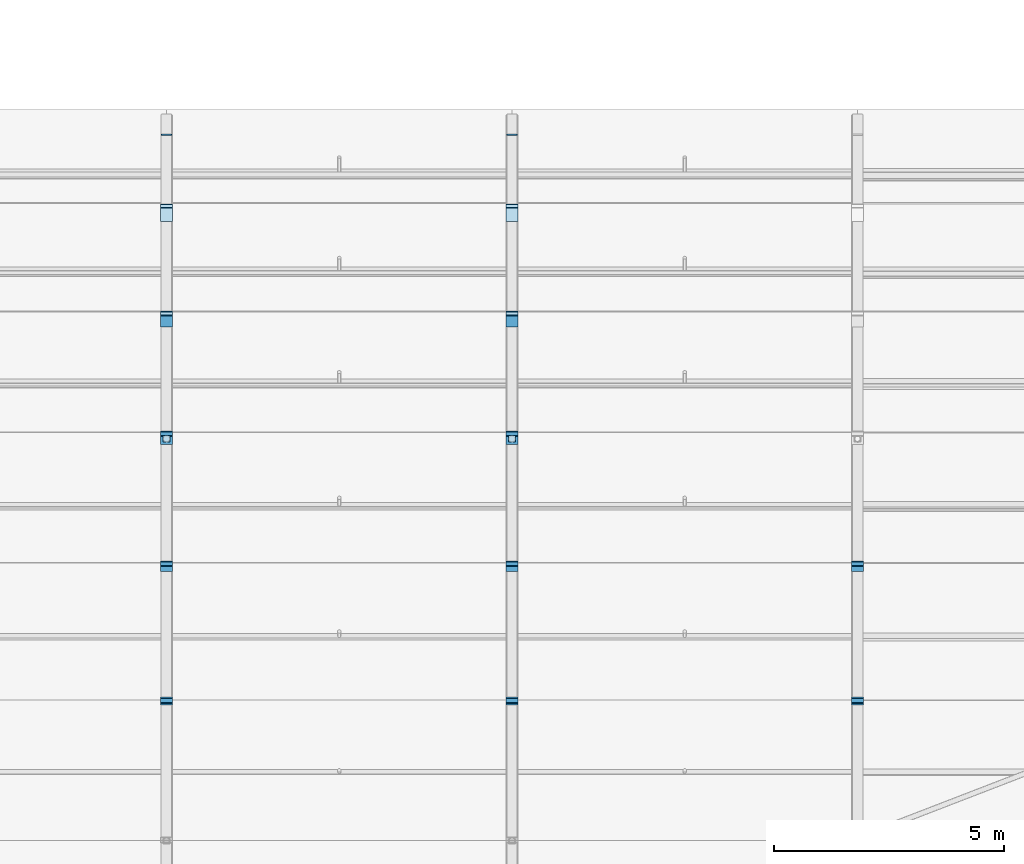
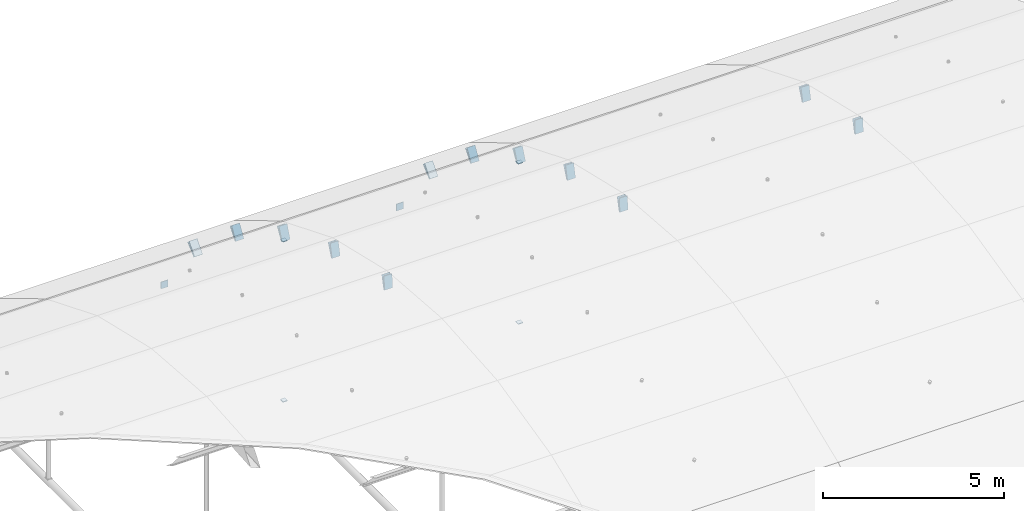
# One storey, part 54 of 77: 30 plates.
"""IFC4 building model written with IfcOpenShell, lengths in metres."""

from ifc_helpers import new_model, si_unit, direction, frame, origin, origin_2d, place, context, subcontext, project, spatial, rectangle, extrude, material, layer, layer_set, type_object, element, save


model = new_model("IFC4")

# Units and contexts
model_context = context("Model", 3, precision=1e-05, world=origin(), true_north=direction((0.0, 1.0)))
body_context = subcontext(model_context, "Body", "Model", "MODEL_VIEW")
ifc_project = project(units=[si_unit("LENGTHUNIT", "METRE"), si_unit("AREAUNIT", "SQUARE_METRE"), si_unit("VOLUMEUNIT", "CUBIC_METRE"), si_unit("PLANEANGLEUNIT", "RADIAN"), si_unit("MASSUNIT", "GRAM", prefix="KILO")], contexts=[model_context])

# Site, building, storey
site_placement = place(None, origin())
site = spatial("IfcSite", under=ifc_project, at=site_placement, CompositionType="ELEMENT")
building_placement = place(site_placement, origin())
building = spatial("IfcBuilding", under=site, at=building_placement, Name="Yukiwa Park Conservatory and Herbarium", CompositionType="ELEMENT")
storey_placement = place(building_placement, frame((0.0, 0.0, 13.199951171875)))
storey = spatial("IfcBuildingStorey", under=building, at=storey_placement, Name="L03", CompositionType="ELEMENT", Elevation=13.199951171875)

# Plates
ifc_material_1 = material(Name="Steel Q355D", Category="steel")
ifc_layer_1 = layer(ifc_material_1, 0.02392578125)
ifc_layer_set_1 = layer_set([ifc_layer_1], Name="Steel Q355D")
plate_type_1 = type_object("IfcPlateType", Name="PL-CAP-24", PredefinedType="USERDEFINED", material=ifc_layer_set_1)
plate_1_placement = place(storey_placement, frame((37.5, 18.561767578125, 3.37060546875), z_axis=(0.0, 0.997458699831, -0.071247049988), x_axis=(-1.0, 0.0, 0.0)))
element("IfcPlate", 1, at=plate_1_placement, inside=storey, type_object=plate_type_1, Name="Hollow section end cap plate CAP-RIB06-C07B", ObjectType="END CAP PLATE", PredefinedType="USERDEFINED", context=body_context, shape_type="SweptSolid", body=[
    extrude(rectangle(XDim=0.258056640625, YDim=0.4580078125, at=origin_2d()), origin(), (0.0, 0.0, 1.0), 0.02392578125),
])
plate_2_placement = place(storey_placement, frame((37.5, 18.658203125, 3.354248046875), z_axis=(0.0, -0.972479178012, 0.232989803065), x_axis=(1.0, 0.0, 0.0)))
element("IfcPlate", 2, at=plate_2_placement, inside=storey, type_object=plate_type_1, Name="Hollow section end cap plate CAP-RIB06-C08A", ObjectType="END CAP PLATE", PredefinedType="USERDEFINED", context=body_context, shape_type="SweptSolid", body=[
    extrude(rectangle(XDim=0.258056640625, YDim=0.4580078125, at=origin_2d()), origin(), (0.0, 0.0, 1.0), 0.024169921875),
])
for number, where, z_axis, x_axis, name in (
    (3, (37.5, 21.492919921875, 2.68505859375), (0.0, 0.974732318528, -0.223376156329), (-1.0, 0.0, 0.0), "Hollow section end cap plate CAP-RIB06-C08B"),
    (4, (37.5, 21.585693359375, 2.654052734375), (0.0, -0.926355609378, 0.376650082934), (1.0, 0.0, 0.0), "Hollow section end cap plate CAP-RIB06-C09A"),
    (5, (37.5, 24.28369140625, 1.556396484375), (0.0, 0.926355609378, -0.376650082934), (-1.0, 0.0, 0.0), "Hollow section end cap plate CAP-RIB06-C09B"),
    (6, (37.5, 24.370361328125, 1.511474609375), (0.0, -0.854787515222, 0.518978134242), (1.0, 0.0, 0.0), "Hollow section end cap plate CAP-RIB06-C10A"),
):
    element("IfcPlate", number, at=place(storey_placement, frame(where, z_axis=z_axis, x_axis=x_axis)), inside=storey, type_object=plate_type_1, Name=name, ObjectType="END CAP PLATE", PredefinedType="USERDEFINED", context=body_context, shape_type="SweptSolid", body=[
        extrude(rectangle(XDim=0.258056640625, YDim=0.4580078125, at=origin_2d()), origin(), (0.0, 0.0, 1.0), 0.02392578125),
    ])
plate_3_placement = place(storey_placement, frame((37.5, 26.8671875, 0.01171875), z_axis=(0.0, 0.857492925713, -0.514495755428), x_axis=(-1.0, 0.0, 0.0)))
element("IfcPlate", 7, at=plate_3_placement, inside=storey, type_object=plate_type_1, Name="Hollow section end cap plate CAP-RIB06-C10B", ObjectType="END CAP PLATE", PredefinedType="USERDEFINED", context=body_context, shape_type="SweptSolid", body=[
    extrude(rectangle(XDim=0.258056640625, YDim=0.4580078125, at=origin_2d()), origin(), (0.0, 0.0, 1.0), 0.024169921875),
])
for number, where, z_axis, x_axis, name in (
    (8, (37.5, 26.946044921875, -0.046142578125), (0.0, -0.76570486479, 0.643192086423), (1.0, 0.0, 0.0), "Hollow section end cap plate CAP-RIB06-C11A"),
    (9, (37.5, 29.182373046875, -1.912353515625), (0.0, 0.76570486479, -0.643192086423), (-1.0, 0.0, 0.0), "Hollow section end cap plate CAP-RIB06-C11B"),
    (10, (37.5, 29.251220703125, -1.981689453125), (0.0, -0.659940990637, 0.751317435494), (1.0, 0.0, 0.0), "Hollow section end cap plate CAP-RIB06-C12A"),
    (11, (45.0, 18.561767578125, 3.37060546875), (0.0, 0.997458699831, -0.071247049988), (-1.0, 0.0, 0.0), "Hollow section end cap plate CAP-RIB07-C07B"),
):
    element("IfcPlate", number, at=place(storey_placement, frame(where, z_axis=z_axis, x_axis=x_axis)), inside=storey, type_object=plate_type_1, Name=name, ObjectType="END CAP PLATE", PredefinedType="USERDEFINED", context=body_context, shape_type="SweptSolid", body=[
        extrude(rectangle(XDim=0.258056640625, YDim=0.4580078125, at=origin_2d()), origin(), (0.0, 0.0, 1.0), 0.02392578125),
    ])
plate_4_placement = place(storey_placement, frame((45.0, 18.658203125, 3.354248046875), z_axis=(0.0, -0.972479178012, 0.232989803065), x_axis=(1.0, 0.0, 0.0)))
element("IfcPlate", 12, at=plate_4_placement, inside=storey, type_object=plate_type_1, Name="Hollow section end cap plate CAP-RIB07-C08A", ObjectType="END CAP PLATE", PredefinedType="USERDEFINED", context=body_context, shape_type="SweptSolid", body=[
    extrude(rectangle(XDim=0.258056640625, YDim=0.4580078125, at=origin_2d()), origin(), (0.0, 0.0, 1.0), 0.024169921875),
])
for number, where, z_axis, x_axis, name in (
    (13, (45.0, 21.492919921875, 2.68505859375), (0.0, 0.974732318528, -0.223376156329), (-1.0, 0.0, 0.0), "Hollow section end cap plate CAP-RIB07-C08B"),
    (14, (45.0, 21.585693359375, 2.654052734375), (0.0, -0.926355609378, 0.376650082934), (1.0, 0.0, 0.0), "Hollow section end cap plate CAP-RIB07-C09A"),
    (15, (45.0, 24.28369140625, 1.556396484375), (0.0, 0.926355609378, -0.376650082934), (-1.0, 0.0, 0.0), "Hollow section end cap plate CAP-RIB07-C09B"),
    (16, (45.0, 24.370361328125, 1.511474609375), (0.0, -0.854787515222, 0.518978134242), (1.0, 0.0, 0.0), "Hollow section end cap plate CAP-RIB07-C10A"),
):
    element("IfcPlate", number, at=place(storey_placement, frame(where, z_axis=z_axis, x_axis=x_axis)), inside=storey, type_object=plate_type_1, Name=name, ObjectType="END CAP PLATE", PredefinedType="USERDEFINED", context=body_context, shape_type="SweptSolid", body=[
        extrude(rectangle(XDim=0.258056640625, YDim=0.4580078125, at=origin_2d()), origin(), (0.0, 0.0, 1.0), 0.02392578125),
    ])
plate_5_placement = place(storey_placement, frame((45.0, 26.8671875, 0.01171875), z_axis=(0.0, 0.857492925713, -0.514495755428), x_axis=(-1.0, 0.0, 0.0)))
element("IfcPlate", 17, at=plate_5_placement, inside=storey, type_object=plate_type_1, Name="Hollow section end cap plate CAP-RIB07-C10B", ObjectType="END CAP PLATE", PredefinedType="USERDEFINED", context=body_context, shape_type="SweptSolid", body=[
    extrude(rectangle(XDim=0.258056640625, YDim=0.4580078125, at=origin_2d()), origin(), (0.0, 0.0, 1.0), 0.024169921875),
])
for number, where, z_axis, x_axis, name in (
    (18, (45.0, 26.946044921875, -0.046142578125), (0.0, -0.76570486479, 0.643192086423), (1.0, 0.0, 0.0), "Hollow section end cap plate CAP-RIB07-C11A"),
    (19, (45.0, 29.182373046875, -1.912353515625), (0.0, 0.76570486479, -0.643192086423), (-1.0, 0.0, 0.0), "Hollow section end cap plate CAP-RIB07-C11B"),
    (20, (45.0, 29.251220703125, -1.981689453125), (0.0, -0.659940990637, 0.751317435494), (1.0, 0.0, 0.0), "Hollow section end cap plate CAP-RIB07-C12A"),
    (21, (52.5, 18.561767578125, 3.37060546875), (0.0, 0.997458699831, -0.071247049988), (-1.0, 0.0, 0.0), "Hollow section end cap plate CAP-RIB08-C07B"),
):
    element("IfcPlate", number, at=place(storey_placement, frame(where, z_axis=z_axis, x_axis=x_axis)), inside=storey, type_object=plate_type_1, Name=name, ObjectType="END CAP PLATE", PredefinedType="USERDEFINED", context=body_context, shape_type="SweptSolid", body=[
        extrude(rectangle(XDim=0.258056640625, YDim=0.4580078125, at=origin_2d()), origin(), (0.0, 0.0, 1.0), 0.02392578125),
    ])
plate_6_placement = place(storey_placement, frame((52.5, 18.658203125, 3.354248046875), z_axis=(0.0, -0.972479178012, 0.232989803065), x_axis=(1.0, 0.0, 0.0)))
element("IfcPlate", 22, at=plate_6_placement, inside=storey, type_object=plate_type_1, Name="Hollow section end cap plate CAP-RIB08-C08A", ObjectType="END CAP PLATE", PredefinedType="USERDEFINED", context=body_context, shape_type="SweptSolid", body=[
    extrude(rectangle(XDim=0.258056640625, YDim=0.4580078125, at=origin_2d()), origin(), (0.0, 0.0, 1.0), 0.024169921875),
])
for number, where, z_axis, x_axis, name in (
    (23, (52.5, 21.492919921875, 2.68505859375), (0.0, 0.974732318528, -0.223376156329), (-1.0, 0.0, 0.0), "Hollow section end cap plate CAP-RIB08-C08B"),
    (24, (52.5, 21.585693359375, 2.654052734375), (0.0, -0.926355609378, 0.376650082934), (1.0, 0.0, 0.0), "Hollow section end cap plate CAP-RIB08-C09A"),
):
    element("IfcPlate", number, at=place(storey_placement, frame(where, z_axis=z_axis, x_axis=x_axis)), inside=storey, type_object=plate_type_1, Name=name, ObjectType="END CAP PLATE", PredefinedType="USERDEFINED", context=body_context, shape_type="SweptSolid", body=[
        extrude(rectangle(XDim=0.258056640625, YDim=0.4580078125, at=origin_2d()), origin(), (0.0, 0.0, 1.0), 0.02392578125),
    ])
ifc_material_2 = material(Name="Steel Q355D", Category="steel")
ifc_layer_2 = layer(ifc_material_2, 0.02392578125)
ifc_layer_set_2 = layer_set([ifc_layer_2], Name="Steel Q355D")
plate_type_2 = type_object("IfcPlateType", Name="PL-CAP-24-INT", PredefinedType="USERDEFINED", material=ifc_layer_set_2)
plate_7_placement = place(storey_placement, frame((37.5, 30.910888671875, -4.199951171875), z_axis=(0.0, 1.0, 0.0), x_axis=(-1.0, 0.0, 0.0)))
element("IfcPlate", 25, at=plate_7_placement, inside=storey, type_object=plate_type_2, Name="Hollow section end cap plate CAP-VTIE-06-N", ObjectType="END CAP PLATE", PredefinedType="USERDEFINED", context=body_context, shape_type="SweptSolid", body=[
    extrude(rectangle(XDim=0.22705078125, YDim=0.22705078125, at=origin_2d()), origin(), (0.0, 0.0, 1.0), 0.024169921875),
])
plate_8_placement = place(storey_placement, frame((37.5, 24.320556640625, -4.087890625), z_axis=(0.0, 0.0, -1.0), x_axis=(1.0, 0.0, 0.0)))
element("IfcPlate", 26, at=plate_8_placement, inside=storey, type_object=plate_type_2, Name="Hollow section end cap plate CAP-VHNG-06-9B", ObjectType="END CAP PLATE", PredefinedType="USERDEFINED", context=body_context, shape_type="SweptSolid", body=[
    extrude(rectangle(XDim=0.147705078125, YDim=0.147705078125, at=origin_2d()), origin(), (0.0, 0.0, 1.0), 0.024169921875),
])
plate_9_placement = place(storey_placement, frame((37.5, 24.320556640625, 1.282470703125), z_axis=(0.0, 0.0, 1.0), x_axis=(1.0, 0.0, 0.0)))
element("IfcPlate", 27, at=plate_9_placement, inside=storey, type_object=plate_type_2, Name="Hollow section end cap plate CAP-VHNG-06-9T", ObjectType="END CAP PLATE", PredefinedType="USERDEFINED", context=body_context, shape_type="SweptSolid", body=[
    extrude(rectangle(XDim=0.147705078125, YDim=0.147705078125, at=origin_2d()), origin(), (0.0, 0.0, 1.0), 0.02392578125),
])
plate_10_placement = place(storey_placement, frame((45.0, 30.910888671875, -4.199951171875), z_axis=(0.0, 1.0, 0.0), x_axis=(-1.0, 0.0, 0.0)))
element("IfcPlate", 28, at=plate_10_placement, inside=storey, type_object=plate_type_2, Name="Hollow section end cap plate CAP-VTIE-07-N", ObjectType="END CAP PLATE", PredefinedType="USERDEFINED", context=body_context, shape_type="SweptSolid", body=[
    extrude(rectangle(XDim=0.22705078125, YDim=0.22705078125, at=origin_2d()), origin(), (0.0, 0.0, 1.0), 0.024169921875),
])
plate_11_placement = place(storey_placement, frame((45.0, 24.320556640625, -4.087890625), z_axis=(0.0, 0.0, -1.0), x_axis=(1.0, 0.0, 0.0)))
element("IfcPlate", 29, at=plate_11_placement, inside=storey, type_object=plate_type_2, Name="Hollow section end cap plate CAP-VHNG-07-9B", ObjectType="END CAP PLATE", PredefinedType="USERDEFINED", context=body_context, shape_type="SweptSolid", body=[
    extrude(rectangle(XDim=0.147705078125, YDim=0.147705078125, at=origin_2d()), origin(), (0.0, 0.0, 1.0), 0.024169921875),
])
plate_12_placement = place(storey_placement, frame((45.0, 24.320556640625, 1.282470703125), z_axis=(0.0, 0.0, 1.0), x_axis=(1.0, 0.0, 0.0)))
element("IfcPlate", 30, at=plate_12_placement, inside=storey, type_object=plate_type_2, Name="Hollow section end cap plate CAP-VHNG-07-9T", ObjectType="END CAP PLATE", PredefinedType="USERDEFINED", context=body_context, shape_type="SweptSolid", body=[
    extrude(rectangle(XDim=0.147705078125, YDim=0.147705078125, at=origin_2d()), origin(), (0.0, 0.0, 1.0), 0.02392578125),
])

save(model, "model.ifc")
